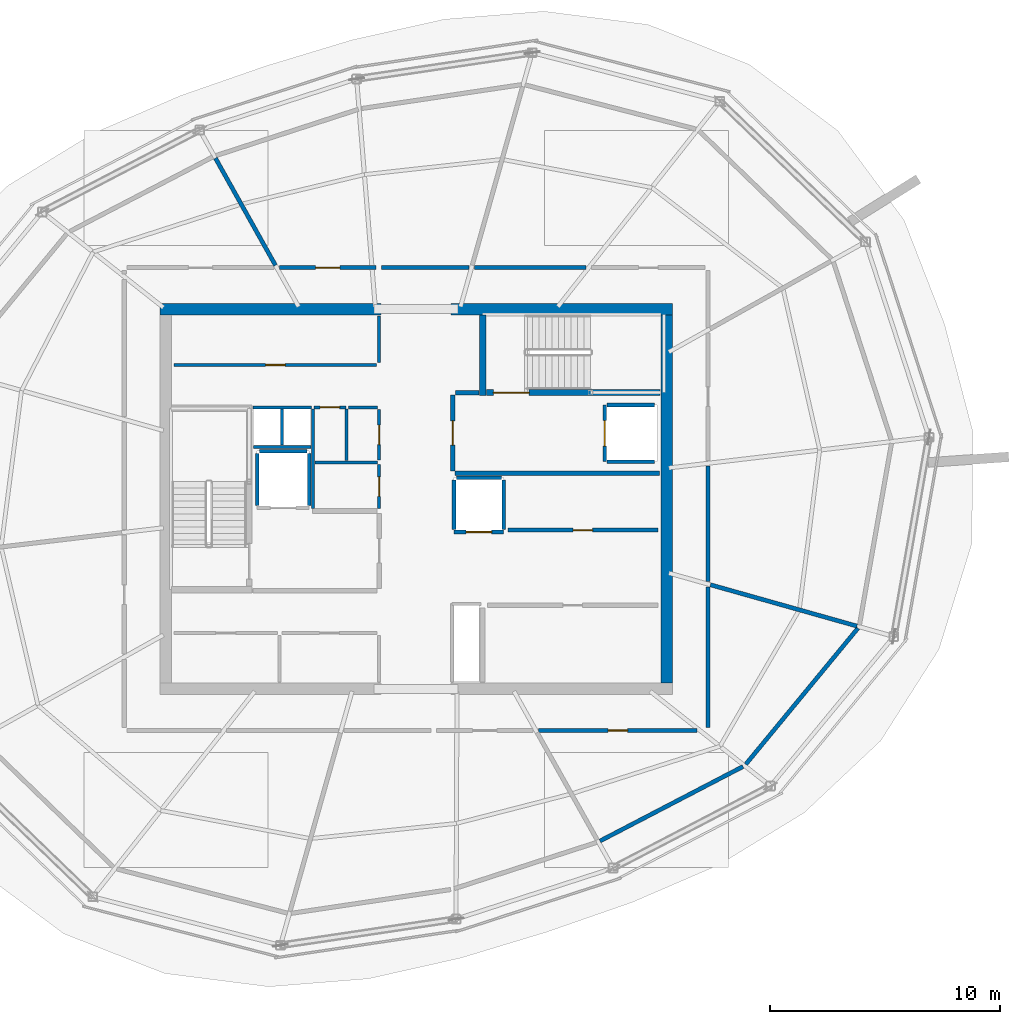
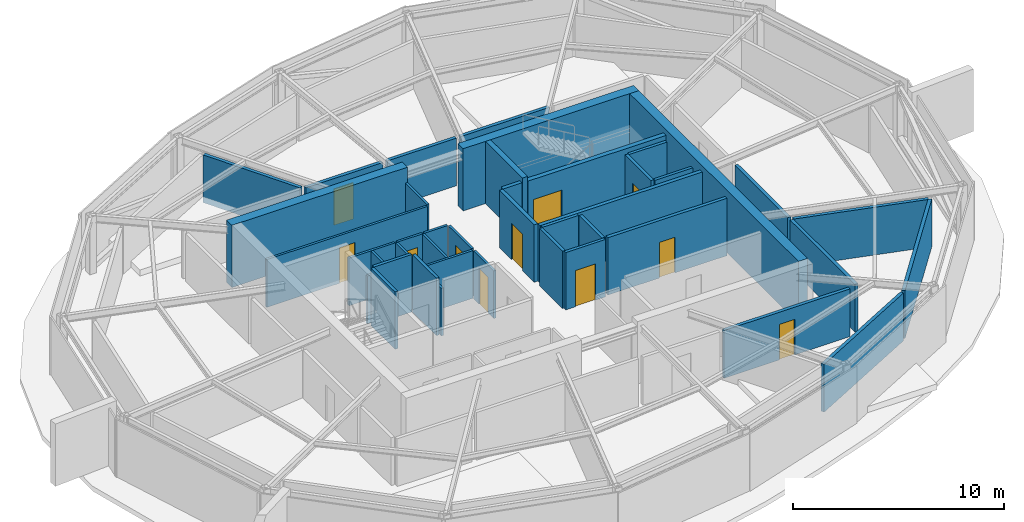
# One storey, part 8 of 10: 41 walls, 11 doors, 11 openings.
"""IFC4 building model written with IfcOpenShell, lengths in metres."""

from ifc_helpers import new_model, si_unit, direction, frame, frame_2d, origin, place, context, subcontext, project, spatial, rectangle, extrude, material, layer, layer_set, type_object, element, fill, save


model = new_model("IFC4")

# Units and contexts
model_context = context("Model", 3, precision=1e-05, world=origin(), true_north=direction((0.0, 1.0)))
body_context = subcontext(model_context, "Body", "Model", "MODEL_VIEW")
ifc_project = project(units=[si_unit("LENGTHUNIT", "METRE"), si_unit("AREAUNIT", "SQUARE_METRE"), si_unit("VOLUMEUNIT", "CUBIC_METRE"), si_unit("PLANEANGLEUNIT", "RADIAN"), si_unit("MASSUNIT", "GRAM", prefix="KILO")], contexts=[model_context])

# Site, building, storey
site_placement = place(None, origin())
site = spatial("IfcSite", under=ifc_project, at=site_placement, CompositionType="ELEMENT")
building_placement = place(site_placement, origin())
building = spatial("IfcBuilding", under=site, at=building_placement, Name="Kazma Halo Residences", CompositionType="ELEMENT")
storey_placement = place(building_placement, frame((0.0, 0.0, 370.39990234375)))
storey = spatial("IfcBuildingStorey", under=building, at=storey_placement, Name="L93", CompositionType="ELEMENT", Elevation=370.39990234375)

# Walls
ifc_material_1 = material(Name="Concrete C60/75", Category="concrete")
ifc_layer_1 = layer(ifc_material_1, 0.5)
ifc_layer_set_1 = layer_set([ifc_layer_1], Name="Concrete C60/75")
wall_type_1 = type_object("IfcWallType", Name="WL-CORE-500", PredefinedType="SHEAR", material=ifc_layer_set_1)
wall_1_placement = place(storey_placement, frame((37.300048828125, 50.25, 0.0), z_axis=(0.0, 0.0, 1.0), x_axis=(1.0, 0.0, 0.0)))
element("IfcWall", 1, at=wall_1_placement, inside=storey, type_object=wall_type_1, Name="L93 central core shear wall NW", PredefinedType="SHEAR", context=body_context, shape_type="SweptSolid", body=[
    extrude(rectangle(XDim=9.599853515625, YDim=0.5, at=frame_2d((4.7998046875, 0.0))), origin(), (0.0, 0.0, 1.0), 3.60009765625),
])
wall_2_placement = place(storey_placement, frame((49.949951171875, 50.25, 0.0), z_axis=(0.0, 0.0, 1.0), x_axis=(1.0, 0.0, 0.0)))
element("IfcWall", 2, at=wall_2_placement, inside=storey, type_object=wall_type_1, Name="L93 central core shear wall NE", PredefinedType="SHEAR", context=body_context, shape_type="SweptSolid", body=[
    extrude(rectangle(XDim=9.60009765625, YDim=0.5, at=frame_2d((4.800048828125, 0.0))), origin(), (0.0, 0.0, 1.0), 3.60009765625),
])
wall_3_placement = place(storey_placement, frame((59.300048828125, 34.0, 0.0), z_axis=(0.0, 0.0, 1.0), x_axis=(0.0, 1.0, 0.0)))
element("IfcWall", 3, at=wall_3_placement, inside=storey, type_object=wall_type_1, Name="L93 central core shear wall E", PredefinedType="SHEAR", context=body_context, shape_type="SweptSolid", body=[
    extrude(rectangle(XDim=16.0, YDim=0.5, at=frame_2d((8.0, 0.0))), origin(), (0.0, 0.0, 1.0), 3.60009765625),
])
ifc_layer_2 = layer(ifc_material_1, 0.280029296875)
ifc_layer_set_2 = layer_set([ifc_layer_2], Name="Concrete C60/75")
wall_type_2 = type_object("IfcWallType", Name="WL-CORE-ST-280", PredefinedType="SHEAR", material=ifc_layer_set_2)
wall_4_placement = place(storey_placement, frame((51.31005859375, 46.5, 0.0), z_axis=(0.0, 0.0, 1.0), x_axis=(0.0, 1.0, 0.0)))
element("IfcWall", 4, at=wall_4_placement, inside=storey, type_object=wall_type_2, Name="L93 stairwell bearing wall ST02-W", PredefinedType="SHEAR", context=body_context, shape_type="SweptSolid", body=[
    extrude(rectangle(XDim=3.5, YDim=0.280029296875, at=frame_2d((1.75, 0.0))), origin(), (0.0, 0.0, 1.0), 3.60009765625),
])
ifc_material_2 = material(Name="Acoustic Twin-Stud Gypsum")
ifc_layer_3 = layer(ifc_material_2, 0.179931640625)
ifc_layer_set_3 = layer_set([ifc_layer_3], Name="Acoustic Twin-Stud Gypsum")
wall_type_3 = type_object("IfcWallType", Name="WL-DEM-180", PredefinedType="PARTITIONING", material=ifc_layer_set_3)
wall_5_placement = place(storey_placement, frame((56.409912109375, 27.14697265625, 0.0), z_axis=(0.0, 0.0, 1.0), x_axis=(0.886949494865, 0.461866423935, 0.0)))
element("IfcWall", 5, at=wall_5_placement, inside=storey, type_object=wall_type_3, Name="L93 crown plant perimeter wall 12", PredefinedType="PARTITIONING", context=body_context, shape_type="SweptSolid", body=[
    extrude(rectangle(XDim=7.002197265625, YDim=0.179931640625, at=frame_2d((3.5009765625, 0.0))), origin(), (0.0, 0.0, 1.0), 2.760009765625),
])
wall_6_placement = place(storey_placement, frame((62.742431640625, 30.479736328125, 0.0), z_axis=(0.0, 0.0, 1.0), x_axis=(0.636018833443, 0.771673534278, 0.0)))
element("IfcWall", 6, at=wall_6_placement, inside=storey, type_object=wall_type_3, Name="L93 crown plant perimeter wall 13", PredefinedType="PARTITIONING", context=body_context, shape_type="SweptSolid", body=[
    extrude(rectangle(XDim=7.661376953125, YDim=0.179931640625, at=frame_2d((3.83056640625, 0.0))), origin(), (0.0, 0.0, 1.0), 2.760009765625),
])
wall_7_placement = place(storey_placement, frame((50.71435546875, 52.050048828125, 0.0), z_axis=(0.0, 0.0, 1.0), x_axis=(-1.0, 0.0, 0.0)))
element("IfcWall", 7, at=wall_7_placement, inside=storey, type_object=wall_type_3, Name="L93 L93 Cooling Tower Plant Room North corridor wall", PredefinedType="PARTITIONING", context=body_context, shape_type="SweptSolid", body=[
    extrude(rectangle(XDim=3.783935546875, YDim=0.179931640625, at=frame_2d((1.89208984375, 0.0))), origin(), (0.0, 0.0, 1.0), 2.760009765625),
])

# Wall, opening, door
wall_8_placement = place(storey_placement, frame((46.6904296875, 52.050048828125, 0.0), z_axis=(0.0, 0.0, 1.0), x_axis=(-1.0, 0.0, 0.0)))
wall_8 = element("IfcWall", 8, at=wall_8_placement, inside=storey, type_object=wall_type_3, Name="L93 L93 Cooling Tower Plant Room North corridor wall", PredefinedType="PARTITIONING", context=body_context, shape_type="SweptSolid", body=[
    extrude(rectangle(XDim=4.19873046875, YDim=0.179931640625, at=frame_2d((2.099365234375, 0.0))), origin(), (0.0, 0.0, 1.0), 2.760009765625),
])
opening_1_placement = place(wall_8_placement, frame((1.574462890625, 0.0, 0.0)))
opening_1 = element("IfcOpeningElement", 9, at=opening_1_placement, cuts=wall_8, Name="Opening DF-1050", PredefinedType="OPENING", context=body_context, shape_type="SweptSolid", body=[
    extrude(rectangle(XDim=1.050048828125, YDim=2.10009765625, at=frame_2d((0.52490234375, 1.050048828125))), frame((0.0, 0.099853515625, 0.0), z_axis=(0.0, -1.0, 0.0), x_axis=(1.0, 0.0, 0.0)), (0.0, 0.0, 1.0), 0.199951171875),
])
ifc_material_3 = material(Name="Fire-Rated Steel Leaf", Category="steel")
door_type_1 = type_object("IfcDoorType", Name="DR-FD90-1050", OperationType="NOTDEFINED", PredefinedType="DOOR", material=ifc_material_3)
door_1_placement = place(opening_1_placement, origin())
door_1 = element("IfcDoor", 10, at=door_1_placement, inside=storey, type_object=door_type_1, Name="L93 L93 Cooling Tower Plant Room North door", OperationType="SINGLE_SWING_LEFT", OverallHeight=2.10009765625, OverallWidth=1.050048828125, PredefinedType="DOOR", context=body_context, shape_type="SweptSolid", body=[
    extrude(rectangle(XDim=1.050048828125, YDim=2.10009765625, at=frame_2d((0.52490234375, 1.050048828125))), frame((0.0, 0.02490234375, 0.0), z_axis=(0.0, -1.0, 0.0), x_axis=(1.0, 0.0, 0.0)), (0.0, 0.0, 1.0), 0.050048828125),
])
fill(opening_1, door_1)

# Wall
wall_9_placement = place(storey_placement, frame((42.318115234375, 52.14599609375, 0.0), z_axis=(0.0, 0.0, 1.0), x_axis=(-0.488622869326, 0.872495095443, 0.0)))
element("IfcWall", 11, at=wall_9_placement, inside=storey, type_object=wall_type_3, Name="L93 radial partition wall 04", PredefinedType="PARTITIONING", context=body_context, shape_type="SweptSolid", body=[
    extrude(rectangle(XDim=5.337158203125, YDim=0.179931640625, at=frame_2d((2.66845703125, 0.0))), origin(), (0.0, 0.0, 1.0), 2.760009765625),
])

# Wall, opening, door
wall_10_placement = place(storey_placement, frame((53.748291015625, 31.949951171875, 0.0), z_axis=(0.0, 0.0, 1.0), x_axis=(1.0, 0.0, 0.0)))
wall_10 = element("IfcWall", 12, at=wall_10_placement, inside=storey, type_object=wall_type_3, Name="L93 L93 Pressurisation Fan Plant Room corridor wall", PredefinedType="PARTITIONING", context=body_context, shape_type="SweptSolid", body=[
    extrude(rectangle(XDim=6.880126953125, YDim=0.179931640625, at=frame_2d((3.43994140625, 0.0))), origin(), (0.0, 0.0, 1.0), 2.760009765625),
])
opening_2_placement = place(wall_10_placement, frame((3.014892578125, 0.0, 0.0)))
opening_2 = element("IfcOpeningElement", 13, at=opening_2_placement, cuts=wall_10, Name="Opening DS-850", PredefinedType="OPENING", context=body_context, shape_type="SweptSolid", body=[
    extrude(rectangle(XDim=0.85009765625, YDim=2.06005859375, at=frame_2d((0.425048828125, 1.030029296875))), frame((0.0, 0.099853515625, 0.0), z_axis=(0.0, -1.0, 0.0), x_axis=(1.0, 0.0, 0.0)), (0.0, 0.0, 1.0), 0.199951171875),
])
ifc_material_4 = material(Name="Painted Steel Access Leaf", Category="steel")
door_type_2 = type_object("IfcDoorType", Name="DR-SVC-850", OperationType="NOTDEFINED", PredefinedType="DOOR", material=ifc_material_4)
door_2_placement = place(opening_2_placement, origin())
door_2 = element("IfcDoor", 14, at=door_2_placement, inside=storey, type_object=door_type_2, Name="L93 L93 Pressurisation Fan Plant Room door", OperationType="SINGLE_SWING_LEFT", OverallHeight=2.06005859375, OverallWidth=0.85009765625, PredefinedType="DOOR", context=body_context, shape_type="SweptSolid", body=[
    extrude(rectangle(XDim=0.85009765625, YDim=2.06005859375, at=frame_2d((0.425048828125, 1.030029296875))), frame((0.0, 0.02490234375, 0.0), z_axis=(0.0, -1.0, 0.0), x_axis=(1.0, 0.0, 0.0)), (0.0, 0.0, 1.0), 0.050048828125),
])
fill(opening_2, door_2)

# Walls
wall_11_placement = place(storey_placement, frame((61.10009765625, 32.070068359375, 0.0), z_axis=(0.0, 0.0, 1.0), x_axis=(0.0, 1.0, 0.0)))
element("IfcWall", 15, at=wall_11_placement, inside=storey, type_object=wall_type_3, Name="L93 L93 Pressurisation Fan Plant Room corridor wall", PredefinedType="PARTITIONING", context=body_context, shape_type="SweptSolid", body=[
    extrude(rectangle(XDim=6.115234375, YDim=0.179931640625, at=frame_2d((3.0576171875, 0.0))), origin(), (0.0, 0.0, 1.0), 2.760009765625),
])
wall_12_placement = place(storey_placement, frame((61.205810546875, 38.275390625, 0.0), z_axis=(0.0, 0.0, 1.0), x_axis=(0.962461547865, -0.271418070294, 0.0)))
element("IfcWall", 16, at=wall_12_placement, inside=storey, type_object=wall_type_3, Name="L93 radial partition wall 14", PredefinedType="PARTITIONING", context=body_context, shape_type="SweptSolid", body=[
    extrude(rectangle(XDim=6.6123046875, YDim=0.179931640625, at=frame_2d((3.30615234375, 0.0))), origin(), (0.0, 0.0, 1.0), 2.760009765625),
])
wall_13_placement = place(storey_placement, frame((61.10009765625, 38.42529296875, 0.0), z_axis=(0.0, 0.0, 1.0), x_axis=(0.0, 1.0, 0.0)))
element("IfcWall", 17, at=wall_13_placement, inside=storey, type_object=wall_type_3, Name="L93 L93 Transformer Switchgear Plant Room corridor wall", PredefinedType="PARTITIONING", context=body_context, shape_type="SweptSolid", body=[
    extrude(rectangle(XDim=5.005126953125, YDim=0.179931640625, at=frame_2d((2.50244140625, 0.0))), origin(), (0.0, 0.0, 1.0), 2.760009765625),
])
wall_14_placement = place(storey_placement, frame((55.802734375, 52.050048828125, 0.0), z_axis=(0.0, 0.0, 1.0), x_axis=(-1.0, 0.0, 0.0)))
element("IfcWall", 18, at=wall_14_placement, inside=storey, type_object=wall_type_3, Name="L93 L93 Telemetry Mechanical Plant Room corridor wall", PredefinedType="PARTITIONING", context=body_context, shape_type="SweptSolid", body=[
    extrude(rectangle(XDim=4.848388671875, YDim=0.179931640625, at=frame_2d((2.42431640625, 0.0))), origin(), (0.0, 0.0, 1.0), 2.760009765625),
])
ifc_material_5 = material(Name="Fire-Rated Blockwork Masonry", Category="masonry")
ifc_layer_4 = layer(ifc_material_5, 0.199951171875)
ifc_layer_set_4 = layer_set([ifc_layer_4], Name="Fire-Rated Blockwork Masonry")
wall_type_4 = type_object("IfcWallType", Name="WL-FLB-200", PredefinedType="PARTITIONING", material=ifc_layer_set_4)
for number, where, z_axis, x_axis, name in (
    (19, (43.780029296875, 41.719970703125, 0.0), (0.0, 0.0, 1.0), (0.0, 1.0, 0.0), "L93 lift shaft FL-01 side wall E"),
    (20, (41.52001953125, 41.719970703125, 0.0), (0.0, 0.0, 1.0), (0.0, 1.0, 0.0), "L93 lift shaft FL-01 side wall W"),
):
    element("IfcWall", number, at=place(storey_placement, frame(where, z_axis=z_axis, x_axis=x_axis)), inside=storey, type_object=wall_type_4, Name=name, PredefinedType="PARTITIONING", context=body_context, shape_type="SweptSolid", body=[
        extrude(rectangle(XDim=2.260009765625, YDim=0.159912109375, at=frame_2d((1.1298828125, 0.0))), origin(), (0.0, 0.0, 1.0), 3.320068359375),
    ])
wall_15_placement = place(storey_placement, frame((41.6201171875, 44.080078125, 0.0), z_axis=(0.0, 0.0, 1.0), x_axis=(1.0, 0.0, 0.0)))
element("IfcWall", 21, at=wall_15_placement, inside=storey, type_object=wall_type_4, Name="L93 lift shaft FL-01 side wall N", PredefinedType="PARTITIONING", context=body_context, shape_type="SweptSolid", body=[
    extrude(rectangle(XDim=2.059814453125, YDim=0.159912109375, at=frame_2d((1.02978515625, 0.0))), origin(), (0.0, 0.0, 1.0), 3.320068359375),
])

# Wall, opening, door
wall_16_placement = place(storey_placement, frame((56.6201171875, 46.080078125, 0.0), z_axis=(0.0, 0.0, 1.0), x_axis=(0.0, -1.0, 0.0)))
wall_16 = element("IfcWall", 22, at=wall_16_placement, inside=storey, type_object=wall_type_4, Name="L93 lift shaft FL-02 front wall", PredefinedType="PARTITIONING", context=body_context, shape_type="SweptSolid", body=[
    extrude(rectangle(XDim=2.4599609375, YDim=0.159912109375, at=frame_2d((1.22998046875, 0.0))), origin(), (0.0, 0.0, 1.0), 3.320068359375),
])
opening_3_placement = place(wall_16_placement, frame((0.679931640625, 0.0, 0.0)))
opening_3 = element("IfcOpeningElement", 23, at=opening_3_placement, cuts=wall_16, Name="Opening LD-FL-02", PredefinedType="OPENING", context=body_context, shape_type="SweptSolid", body=[
    extrude(rectangle(XDim=1.10009765625, YDim=2.10009765625, at=frame_2d((0.550048828125, 1.050048828125))), frame((0.0, 0.08984375, 0.0), z_axis=(0.0, -1.0, 0.0), x_axis=(1.0, 0.0, 0.0)), (0.0, 0.0, 1.0), 0.179931640625),
])
ifc_material_6 = material(Name="Stainless Steel Fire-Rated", Category="steel")
door_type_3 = type_object("IfcDoorType", Name="DR-LIFT-SLD-1100", OperationType="DOUBLE_DOOR_SLIDING", PredefinedType="DOOR", material=ifc_material_6)
door_3_placement = place(opening_3_placement, origin())
door_3 = element("IfcDoor", 24, at=door_3_placement, inside=storey, type_object=door_type_3, Name="L93 lift FL-02 sliding landing door", OperationType="DOUBLE_DOOR_SLIDING", OverallHeight=2.10009765625, OverallWidth=1.10009765625, PredefinedType="DOOR", context=body_context, shape_type="SweptSolid", body=[
    extrude(rectangle(XDim=1.10009765625, YDim=2.10009765625, at=frame_2d((0.550048828125, 1.050048828125))), frame((0.0, 0.02490234375, 0.0), z_axis=(0.0, -1.0, 0.0), x_axis=(1.0, 0.0, 0.0)), (0.0, 0.0, 1.0), 0.050048828125),
])
fill(opening_3, door_3)

# Walls
for number, where, z_axis, x_axis, name in (
    (25, (56.719970703125, 46.080078125, 0.0), (0.0, 0.0, 1.0), (1.0, 0.0, 0.0), "L93 lift shaft FL-02 side wall N"),
    (26, (56.719970703125, 43.6201171875, 0.0), (0.0, 0.0, 1.0), (1.0, 0.0, 0.0), "L93 lift shaft FL-02 side wall S"),
):
    element("IfcWall", number, at=place(storey_placement, frame(where, z_axis=z_axis, x_axis=x_axis)), inside=storey, type_object=wall_type_4, Name=name, PredefinedType="PARTITIONING", context=body_context, shape_type="SweptSolid", body=[
        extrude(rectangle(XDim=2.06005859375, YDim=0.159912109375, at=frame_2d((1.030029296875, 0.0))), origin(), (0.0, 0.0, 1.0), 3.320068359375),
    ])

# Wall, opening, door
wall_17_placement = place(storey_placement, frame((52.22998046875, 40.570068359375, 0.0), z_axis=(0.0, 0.0, 1.0), x_axis=(-1.0, 0.0, 0.0)))
wall_17 = element("IfcWall", 27, at=wall_17_placement, inside=storey, type_object=wall_type_4, Name="L93 lift shaft SV-01 front wall", PredefinedType="PARTITIONING", context=body_context, shape_type="SweptSolid", body=[
    extrude(rectangle(XDim=2.159912109375, YDim=0.159912109375, at=frame_2d((1.080078125, 0.0))), origin(), (0.0, 0.0, 1.0), 3.320068359375),
])
opening_4_placement = place(wall_17_placement, frame((0.530029296875, 0.0, 0.0)))
opening_4 = element("IfcOpeningElement", 28, at=opening_4_placement, cuts=wall_17, Name="Opening LD-SV-01", PredefinedType="OPENING", context=body_context, shape_type="SweptSolid", body=[
    extrude(rectangle(XDim=1.10009765625, YDim=2.10009765625, at=frame_2d((0.550048828125, 1.050048828125))), frame((0.0, 0.08984375, 0.0), z_axis=(0.0, -1.0, 0.0), x_axis=(1.0, 0.0, 0.0)), (0.0, 0.0, 1.0), 0.179931640625),
])
door_4_placement = place(opening_4_placement, origin())
door_4 = element("IfcDoor", 29, at=door_4_placement, inside=storey, type_object=door_type_3, Name="L93 lift SV-01 sliding landing door", OperationType="DOUBLE_DOOR_SLIDING", OverallHeight=2.10009765625, OverallWidth=1.10009765625, PredefinedType="DOOR", context=body_context, shape_type="SweptSolid", body=[
    extrude(rectangle(XDim=1.10009765625, YDim=2.10009765625, at=frame_2d((0.550048828125, 1.050048828125))), frame((0.0, 0.02490234375, 0.0), z_axis=(0.0, -1.0, 0.0), x_axis=(1.0, 0.0, 0.0)), (0.0, 0.0, 1.0), 0.050048828125),
])
fill(opening_4, door_4)

# Walls
for number, where, z_axis, x_axis, name in (
    (30, (52.22998046875, 40.669921875, 0.0), (0.0, 0.0, 1.0), (0.0, 1.0, 0.0), "L93 lift shaft SV-01 side wall E"),
    (31, (50.070068359375, 40.669921875, 0.0), (0.0, 0.0, 1.0), (0.0, 1.0, 0.0), "L93 lift shaft SV-01 side wall W"),
):
    element("IfcWall", number, at=place(storey_placement, frame(where, z_axis=z_axis, x_axis=x_axis)), inside=storey, type_object=wall_type_4, Name=name, PredefinedType="PARTITIONING", context=body_context, shape_type="SweptSolid", body=[
        extrude(rectangle(XDim=2.16015625, YDim=0.159912109375, at=frame_2d((1.080078125, 0.0))), origin(), (0.0, 0.0, 1.0), 3.320068359375),
    ])
wall_18_placement = place(storey_placement, frame((50.169921875, 42.929931640625, 0.0), z_axis=(0.0, 0.0, 1.0), x_axis=(1.0, 0.0, 0.0)))
element("IfcWall", 32, at=wall_18_placement, inside=storey, type_object=wall_type_4, Name="L93 lift shaft SV-01 side wall N", PredefinedType="PARTITIONING", context=body_context, shape_type="SweptSolid", body=[
    extrude(rectangle(XDim=1.9599609375, YDim=0.159912109375, at=frame_2d((0.97998046875, 0.0))), origin(), (0.0, 0.0, 1.0), 3.320068359375),
])

# Wall, opening, door
wall_19_placement = place(storey_placement, frame((52.419921875, 40.64990234375, 0.0), z_axis=(0.0, 0.0, 1.0), x_axis=(1.0, 0.0, 0.0)))
wall_19 = element("IfcWall", 33, at=wall_19_placement, inside=storey, type_object=wall_type_4, Name="L93 core east reserve wall", PredefinedType="PARTITIONING", context=body_context, shape_type="SweptSolid", body=[
    extrude(rectangle(XDim=6.5, YDim=0.179931640625, at=frame_2d((3.25, 0.0))), origin(), (0.0, 0.0, 1.0), 3.320068359375),
])
opening_5_placement = place(wall_19_placement, frame((2.824951171875, 0.0, 0.0)))
opening_5 = element("IfcOpeningElement", 34, at=opening_5_placement, cuts=wall_19, Name="Opening DS-850", PredefinedType="OPENING", context=body_context, shape_type="SweptSolid", body=[
    extrude(rectangle(XDim=0.85009765625, YDim=2.06005859375, at=frame_2d((0.425048828125, 1.030029296875))), frame((0.0, 0.099853515625, 0.0), z_axis=(0.0, -1.0, 0.0), x_axis=(1.0, 0.0, 0.0)), (0.0, 0.0, 1.0), 0.199951171875),
])
door_5_placement = place(opening_5_placement, origin())
door_5 = element("IfcDoor", 35, at=door_5_placement, inside=storey, type_object=door_type_2, Name="L93 core east reserve door", OperationType="SINGLE_SWING_RIGHT", OverallHeight=2.06005859375, OverallWidth=0.85009765625, PredefinedType="DOOR", context=body_context, shape_type="SweptSolid", body=[
    extrude(rectangle(XDim=0.85009765625, YDim=2.06005859375, at=frame_2d((0.425048828125, 1.030029296875))), frame((0.0, 0.02490234375, 0.0), z_axis=(0.0, -1.0, 0.0), x_axis=(1.0, 0.0, 0.0)), (0.0, 0.0, 1.0), 0.050048828125),
])
fill(opening_5, door_5)

# Walls
wall_20_placement = place(storey_placement, frame((50.1201171875, 43.1201171875, 0.0), z_axis=(0.0, 0.0, 1.0), x_axis=(1.0, 0.0, 0.0)))
element("IfcWall", 36, at=wall_20_placement, inside=storey, type_object=wall_type_4, Name="L93 east firefighting lobby south smoke wall", PredefinedType="PARTITIONING", context=body_context, shape_type="SweptSolid", body=[
    extrude(rectangle(XDim=8.8798828125, YDim=0.199951171875, at=frame_2d((4.43994140625, 0.0))), origin(), (0.0, 0.0, 1.0), 3.320068359375),
])
wall_21_placement = place(storey_placement, frame((50.139892578125, 46.6201171875, 0.0), z_axis=(0.0, 0.0, 1.0), x_axis=(1.0, 0.0, 0.0)))
element("IfcWall", 37, at=wall_21_placement, inside=storey, type_object=wall_type_4, Name="L93 east firefighting lobby north closure wall", PredefinedType="PARTITIONING", context=body_context, shape_type="SweptSolid", body=[
    extrude(rectangle(XDim=1.02001953125, YDim=0.199951171875, at=frame_2d((0.510009765625, 0.0))), origin(), (0.0, 0.0, 1.0), 3.320068359375),
])

# Wall, opening, door
wall_22_placement = place(storey_placement, frame((50.02001953125, 43.219970703125, 0.0), z_axis=(0.0, 0.0, 1.0), x_axis=(0.0, 1.0, 0.0)))
wall_22 = element("IfcWall", 38, at=wall_22_placement, inside=storey, type_object=wall_type_4, Name="L93 east firefighting lobby smoke wall", PredefinedType="PARTITIONING", context=body_context, shape_type="SweptSolid", body=[
    extrude(rectangle(XDim=3.300048828125, YDim=0.199951171875, at=frame_2d((1.64990234375, 0.0))), origin(), (0.0, 0.0, 1.0), 3.320068359375),
])
opening_6_placement = place(wall_22_placement, frame((1.125, 0.0, 0.0)))
opening_6 = element("IfcOpeningElement", 39, at=opening_6_placement, cuts=wall_22, Name="Opening D-FLE", PredefinedType="OPENING", context=body_context, shape_type="SweptSolid", body=[
    extrude(rectangle(XDim=1.050048828125, YDim=2.10009765625, at=frame_2d((0.52490234375, 1.050048828125))), frame((0.0, 0.10986328125, 0.0), z_axis=(0.0, -1.0, 0.0), x_axis=(1.0, 0.0, 0.0)), (0.0, 0.0, 1.0), 0.219970703125),
])
door_6_placement = place(opening_6_placement, origin())
door_6 = element("IfcDoor", 40, at=door_6_placement, inside=storey, type_object=door_type_1, Name="L93 east firefighting lobby smoke door", OperationType="SINGLE_SWING_LEFT", OverallHeight=2.10009765625, OverallWidth=1.050048828125, PredefinedType="DOOR", context=body_context, shape_type="SweptSolid", body=[
    extrude(rectangle(XDim=1.050048828125, YDim=2.10009765625, at=frame_2d((0.52490234375, 1.050048828125))), frame((0.0, 0.02490234375, 0.0), z_axis=(0.0, -1.0, 0.0), x_axis=(1.0, 0.0, 0.0)), (0.0, 0.0, 1.0), 0.050048828125),
])
fill(opening_6, door_6)

# Wall
ifc_material_7 = material(Name="Gypsum Plasterboard Partition")
ifc_layer_5 = layer(ifc_material_7, 0.125)
ifc_layer_set_5 = layer_set([ifc_layer_5], Name="Gypsum Plasterboard Partition")
wall_type_5 = type_object("IfcWallType", Name="WL-PART-125", PredefinedType="PARTITIONING", material=ifc_layer_set_5)
wall_23_placement = place(storey_placement, frame((46.820068359375, 47.919921875, 0.0), z_axis=(0.0, 0.0, 1.0), x_axis=(0.0, 1.0, 0.0)))
element("IfcWall", 41, at=wall_23_placement, inside=storey, type_object=wall_type_5, Name="L93 reclaimed north east wall", PredefinedType="PARTITIONING", context=body_context, shape_type="SweptSolid", body=[
    extrude(rectangle(XDim=2.030029296875, YDim=0.125, at=frame_2d((1.01513671875, 0.0))), origin(), (0.0, 0.0, 1.0), 2.760009765625),
])

# Wall, opening, door
wall_24_placement = place(storey_placement, frame((37.919921875, 47.820068359375, 0.0), z_axis=(0.0, 0.0, 1.0), x_axis=(1.0, 0.0, 0.0)))
wall_24 = element("IfcWall", 42, at=wall_24_placement, inside=storey, type_object=wall_type_5, Name="L93 reclaimed north front wall", PredefinedType="PARTITIONING", context=body_context, shape_type="SweptSolid", body=[
    extrude(rectangle(XDim=8.780029296875, YDim=0.125, at=frame_2d((4.39013671875, 0.0))), origin(), (0.0, 0.0, 1.0), 2.760009765625),
])
opening_7_placement = place(wall_24_placement, frame((3.965087890625, 0.0, 0.0)))
opening_7 = element("IfcOpeningElement", 43, at=opening_7_placement, cuts=wall_24, Name="Opening DS-850", PredefinedType="OPENING", context=body_context, shape_type="SweptSolid", body=[
    extrude(rectangle(XDim=0.85009765625, YDim=2.06005859375, at=frame_2d((0.425048828125, 1.030029296875))), frame((0.0, 0.072509765625, 0.0), z_axis=(0.0, -1.0, 0.0), x_axis=(1.0, 0.0, 0.0)), (0.0, 0.0, 1.0), 0.14501953125),
])
door_7_placement = place(opening_7_placement, origin())
door_7 = element("IfcDoor", 44, at=door_7_placement, inside=storey, type_object=door_type_2, Name="L93 reclaimed north service door", OperationType="SINGLE_SWING_RIGHT", OverallHeight=2.06005859375, OverallWidth=0.85009765625, PredefinedType="DOOR", context=body_context, shape_type="SweptSolid", body=[
    extrude(rectangle(XDim=0.85009765625, YDim=2.06005859375, at=frame_2d((0.425048828125, 1.030029296875))), frame((0.0, 0.02490234375, 0.0), z_axis=(0.0, -1.0, 0.0), x_axis=(1.0, 0.0, 0.0)), (0.0, 0.0, 1.0), 0.050048828125),
])
fill(opening_7, door_7)

# Walls
wall_25_placement = place(storey_placement, frame((41.360107421875, 44.260009765625, 0.0), z_axis=(0.0, 0.0, 1.0), x_axis=(1.0, 0.0, 0.0)))
element("IfcWall", 45, at=wall_25_placement, inside=storey, type_object=wall_type_5, Name="L93 core riser south wall", PredefinedType="PARTITIONING", context=body_context, shape_type="SweptSolid", body=[
    extrude(rectangle(XDim=2.5, YDim=0.125, at=frame_2d((1.25, 0.0))), origin(), (0.0, 0.0, 1.0), 2.760009765625),
])
wall_26_placement = place(storey_placement, frame((42.60009765625, 44.35009765625, 0.0), z_axis=(0.0, 0.0, 1.0), x_axis=(0.0, 1.0, 0.0)))
element("IfcWall", 46, at=wall_26_placement, inside=storey, type_object=wall_type_5, Name="L93 core riser divider wall", PredefinedType="PARTITIONING", context=body_context, shape_type="SweptSolid", body=[
    extrude(rectangle(XDim=1.5498046875, YDim=0.125, at=frame_2d((0.77490234375, 0.0))), origin(), (0.0, 0.0, 1.0), 2.760009765625),
])
wall_27_placement = place(storey_placement, frame((43.949951171875, 41.580078125, 0.0), z_axis=(0.0, 0.0, 1.0), x_axis=(0.0, 1.0, 0.0)))
element("IfcWall", 47, at=wall_27_placement, inside=storey, type_object=wall_type_5, Name="L93 core service west wall", PredefinedType="PARTITIONING", context=body_context, shape_type="SweptSolid", body=[
    extrude(rectangle(XDim=4.31982421875, YDim=0.125, at=frame_2d((2.159912109375, 0.0))), origin(), (0.0, 0.0, 1.0), 2.760009765625),
])
wall_28_placement = place(storey_placement, frame((44.030029296875, 43.590087890625, 0.0), z_axis=(0.0, 0.0, 1.0), x_axis=(1.0, 0.0, 0.0)))
element("IfcWall", 48, at=wall_28_placement, inside=storey, type_object=wall_type_5, Name="L93 core service horiz divider", PredefinedType="PARTITIONING", context=body_context, shape_type="SweptSolid", body=[
    extrude(rectangle(XDim=2.7099609375, YDim=0.125, at=frame_2d((1.35498046875, 0.0))), origin(), (0.0, 0.0, 1.0), 2.760009765625),
])
wall_29_placement = place(storey_placement, frame((45.409912109375, 43.669921875, 0.0), z_axis=(0.0, 0.0, 1.0), x_axis=(0.0, 1.0, 0.0)))
element("IfcWall", 49, at=wall_29_placement, inside=storey, type_object=wall_type_5, Name="L93 core service vert divider", PredefinedType="PARTITIONING", context=body_context, shape_type="SweptSolid", body=[
    extrude(rectangle(XDim=2.22998046875, YDim=0.125, at=frame_2d((1.114990234375, 0.0))), origin(), (0.0, 0.0, 1.0), 2.760009765625),
])

# Wall, opening, door
wall_30_placement = place(storey_placement, frame((46.820068359375, 41.580078125, 0.0), z_axis=(0.0, 0.0, 1.0), x_axis=(0.0, 1.0, 0.0)))
wall_30 = element("IfcWall", 50, at=wall_30_placement, inside=storey, type_object=wall_type_5, Name="L93 refuse room east wall", PredefinedType="PARTITIONING", context=body_context, shape_type="SweptSolid", body=[
    extrude(rectangle(XDim=1.909912109375, YDim=0.125, at=frame_2d((0.955078125, 0.0))), origin(), (0.0, 0.0, 1.0), 2.760009765625),
])
opening_8_placement = place(wall_30_placement, frame((0.530029296875, 0.0, 0.0)))
opening_8 = element("IfcOpeningElement", 51, at=opening_8_placement, cuts=wall_30, Name="Opening DS-850", PredefinedType="OPENING", context=body_context, shape_type="SweptSolid", body=[
    extrude(rectangle(XDim=0.85009765625, YDim=2.06005859375, at=frame_2d((0.425048828125, 1.030029296875))), frame((0.0, 0.072509765625, 0.0), z_axis=(0.0, -1.0, 0.0), x_axis=(1.0, 0.0, 0.0)), (0.0, 0.0, 1.0), 0.14501953125),
])
door_8_placement = place(opening_8_placement, origin())
door_8 = element("IfcDoor", 52, at=door_8_placement, inside=storey, type_object=door_type_2, Name="L93 refuse room door", OperationType="SINGLE_SWING_RIGHT", OverallHeight=2.06005859375, OverallWidth=0.85009765625, PredefinedType="DOOR", context=body_context, shape_type="SweptSolid", body=[
    extrude(rectangle(XDim=0.85009765625, YDim=2.06005859375, at=frame_2d((0.425048828125, 1.030029296875))), frame((0.0, 0.02490234375, 0.0), z_axis=(0.0, -1.0, 0.0), x_axis=(1.0, 0.0, 0.0)), (0.0, 0.0, 1.0), 0.050048828125),
])
fill(opening_8, door_8)

wall_31_placement = place(storey_placement, frame((46.820068359375, 43.68994140625, 0.0), z_axis=(0.0, 0.0, 1.0), x_axis=(0.0, 1.0, 0.0)))
wall_31 = element("IfcWall", 53, at=wall_31_placement, inside=storey, type_object=wall_type_5, Name="L93 sub-metering east wall", PredefinedType="PARTITIONING", context=body_context, shape_type="SweptSolid", body=[
    extrude(rectangle(XDim=2.18994140625, YDim=0.125, at=frame_2d((1.094970703125, 0.0))), origin(), (0.0, 0.0, 1.0), 2.760009765625),
])
opening_9_placement = place(wall_31_placement, frame((0.669921875, 0.0, 0.0)))
opening_9 = element("IfcOpeningElement", 54, at=opening_9_placement, cuts=wall_31, Name="Opening DS-850", PredefinedType="OPENING", context=body_context, shape_type="SweptSolid", body=[
    extrude(rectangle(XDim=0.85009765625, YDim=2.06005859375, at=frame_2d((0.425048828125, 1.030029296875))), frame((0.0, 0.072509765625, 0.0), z_axis=(0.0, -1.0, 0.0), x_axis=(1.0, 0.0, 0.0)), (0.0, 0.0, 1.0), 0.14501953125),
])
door_9_placement = place(opening_9_placement, origin())
door_9 = element("IfcDoor", 55, at=door_9_placement, inside=storey, type_object=door_type_2, Name="L93 sub-metering door", OperationType="SINGLE_SWING_LEFT", OverallHeight=2.06005859375, OverallWidth=0.85009765625, PredefinedType="DOOR", context=body_context, shape_type="SweptSolid", body=[
    extrude(rectangle(XDim=0.85009765625, YDim=2.06005859375, at=frame_2d((0.425048828125, 1.030029296875))), frame((0.0, 0.02490234375, 0.0), z_axis=(0.0, -1.0, 0.0), x_axis=(1.0, 0.0, 0.0)), (0.0, 0.0, 1.0), 0.050048828125),
])
fill(opening_9, door_9)

# Wall
wall_32_placement = place(storey_placement, frame((41.35009765625, 45.97998046875, 0.0), z_axis=(0.0, 0.0, 1.0), x_axis=(1.0, 0.0, 0.0)))
element("IfcWall", 56, at=wall_32_placement, inside=storey, type_object=wall_type_5, Name="L93 core riser NW wall", PredefinedType="PARTITIONING", context=body_context, shape_type="SweptSolid", body=[
    extrude(rectangle(XDim=2.52978515625, YDim=0.125, at=frame_2d((1.264892578125, 0.0))), origin(), (0.0, 0.0, 1.0), 2.760009765625),
])

# Wall, opening, door
wall_33_placement = place(storey_placement, frame((43.989990234375, 45.97998046875, 0.0), z_axis=(0.0, 0.0, 1.0), x_axis=(1.0, 0.0, 0.0)))
wall_33 = element("IfcWall", 57, at=wall_33_placement, inside=storey, type_object=wall_type_5, Name="L93 cleaners cupboard north wall", PredefinedType="PARTITIONING", context=body_context, shape_type="SweptSolid", body=[
    extrude(rectangle(XDim=1.380126953125, YDim=0.125, at=frame_2d((0.68994140625, 0.0))), origin(), (0.0, 0.0, 1.0), 2.760009765625),
])
opening_10_placement = place(wall_33_placement, frame((0.264892578125, 0.0, 0.0)))
opening_10 = element("IfcOpeningElement", 58, at=opening_10_placement, cuts=wall_33, Name="Opening DS-850", PredefinedType="OPENING", context=body_context, shape_type="SweptSolid", body=[
    extrude(rectangle(XDim=0.85009765625, YDim=2.06005859375, at=frame_2d((0.425048828125, 1.030029296875))), frame((0.0, 0.072509765625, 0.0), z_axis=(0.0, -1.0, 0.0), x_axis=(1.0, 0.0, 0.0)), (0.0, 0.0, 1.0), 0.14501953125),
])
door_10_placement = place(opening_10_placement, origin())
door_10 = element("IfcDoor", 59, at=door_10_placement, inside=storey, type_object=door_type_2, Name="L93 cleaners cupboard door", OperationType="SINGLE_SWING_RIGHT", OverallHeight=2.06005859375, OverallWidth=0.85009765625, PredefinedType="DOOR", context=body_context, shape_type="SweptSolid", body=[
    extrude(rectangle(XDim=0.85009765625, YDim=2.06005859375, at=frame_2d((0.425048828125, 1.030029296875))), frame((0.0, 0.02490234375, 0.0), z_axis=(0.0, -1.0, 0.0), x_axis=(1.0, 0.0, 0.0)), (0.0, 0.0, 1.0), 0.050048828125),
])
fill(opening_10, door_10)

# Wall
wall_34_placement = place(storey_placement, frame((45.47998046875, 45.97998046875, 0.0), z_axis=(0.0, 0.0, 1.0), x_axis=(1.0, 0.0, 0.0)))
element("IfcWall", 60, at=wall_34_placement, inside=storey, type_object=wall_type_5, Name="L93 sub-metering north wall", PredefinedType="PARTITIONING", context=body_context, shape_type="SweptSolid", body=[
    extrude(rectangle(XDim=1.260009765625, YDim=0.125, at=frame_2d((0.6298828125, 0.0))), origin(), (0.0, 0.0, 1.0), 2.760009765625),
])

# Wall, opening, door
ifc_material_8 = material(Name="Concrete C50/60", Category="concrete")
ifc_layer_6 = layer(ifc_material_8, 0.25)
ifc_layer_set_6 = layer_set([ifc_layer_6], Name="Concrete C50/60")
wall_type_6 = type_object("IfcWallType", Name="WL-SHF-250", PredefinedType="SOLIDWALL", material=ifc_layer_set_6)
wall_35_placement = place(storey_placement, frame((51.47998046875, 46.6201171875, 0.0), z_axis=(0.0, 0.0, 1.0), x_axis=(1.0, 0.0, 0.0)))
wall_35 = element("IfcWall", 61, at=wall_35_placement, inside=storey, type_object=wall_type_6, Name="L93 exit stair ST-02 enclosure wall", PredefinedType="SOLIDWALL", context=body_context, shape_type="SweptSolid", body=[
    extrude(rectangle(XDim=7.5400390625, YDim=0.25, at=frame_2d((3.77001953125, 0.0))), origin(), (0.0, 0.0, 1.0), 3.320068359375),
])
opening_11_placement = place(wall_35_placement, frame((0.300048828125, 0.0, 0.0)))
opening_11 = element("IfcOpeningElement", 62, at=opening_11_placement, cuts=wall_35, Name="Opening D-ST2", PredefinedType="OPENING", context=body_context, shape_type="SweptSolid", body=[
    extrude(rectangle(XDim=1.550048828125, YDim=2.14990234375, at=frame_2d((0.77490234375, 1.074951171875))), frame((0.0, 0.135009765625, 0.0), z_axis=(0.0, -1.0, 0.0), x_axis=(1.0, 0.0, 0.0)), (0.0, 0.0, 1.0), 0.27001953125),
])
ifc_material_9 = material(Name="Fire-Rated Double Steel Leaf", Category="steel")
door_type_4 = type_object("IfcDoorType", Name="DR-FD90-1550", OperationType="NOTDEFINED", PredefinedType="DOOR", material=ifc_material_9)
door_11_placement = place(opening_11_placement, origin())
door_11 = element("IfcDoor", 63, at=door_11_placement, inside=storey, type_object=door_type_4, Name="L93 exit stair ST-02 fire door", OperationType="DOUBLE_DOOR_SINGLE_SWING", OverallHeight=2.14990234375, OverallWidth=1.550048828125, PredefinedType="DOOR", context=body_context, shape_type="SweptSolid", body=[
    extrude(rectangle(XDim=1.550048828125, YDim=2.14990234375, at=frame_2d((0.77490234375, 1.074951171875))), frame((0.0, 0.02490234375, 0.0), z_axis=(0.0, -1.0, 0.0), x_axis=(1.0, 0.0, 0.0)), (0.0, 0.0, 1.0), 0.050048828125),
])
fill(opening_11, door_11)

save(model, "model.ifc")
